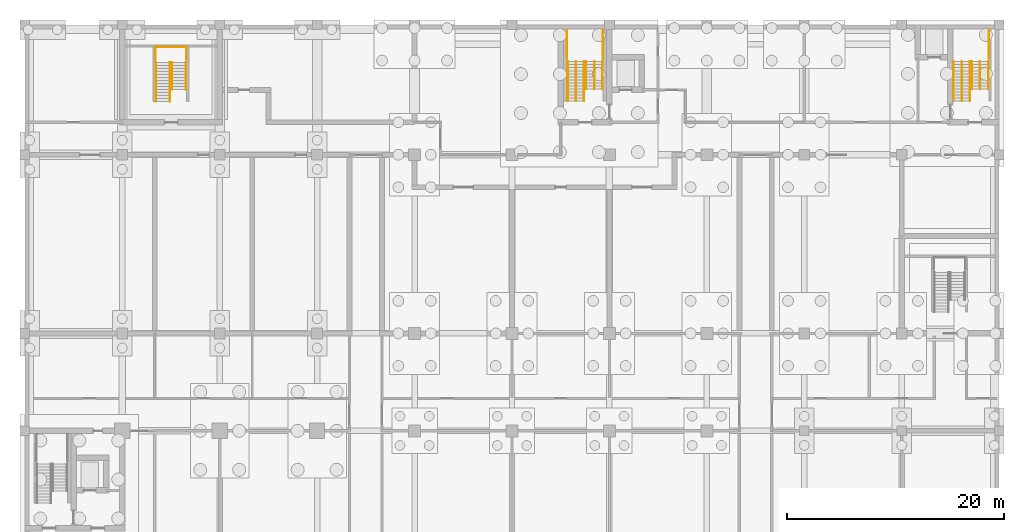
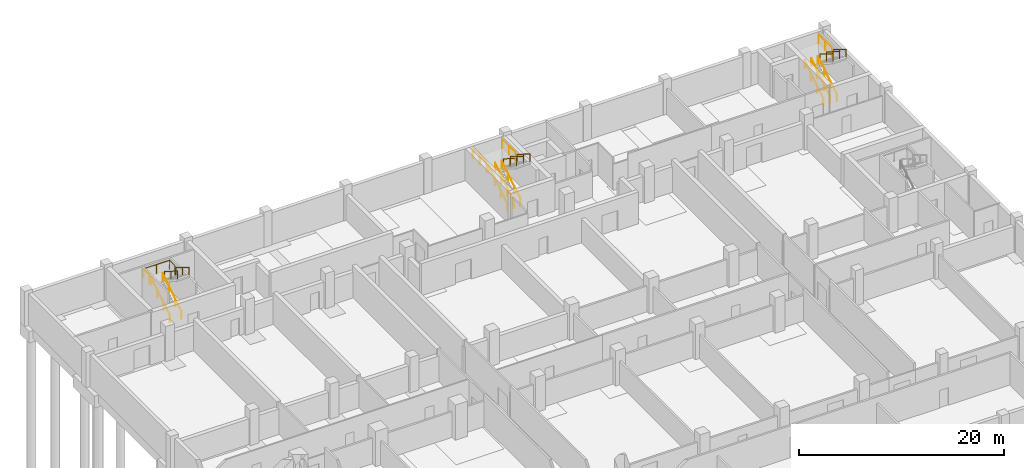
# One storey, part 14 of 15: 21 railings.
"""IFC4 building model written with IfcOpenShell, lengths in metres."""

from ifc_helpers import new_model, si_unit, direction, frame, origin, origin_2d, place, context, subcontext, project, spatial, circle, extrude, material, type_object, element, save


model = new_model("IFC4")

# Units and contexts
model_context = context("Model", 3, precision=1e-05, world=origin(), true_north=direction((0.0, 1.0)))
body_context = subcontext(model_context, "Body", "Model", "MODEL_VIEW")
ifc_project = project(units=[si_unit("LENGTHUNIT", "METRE"), si_unit("AREAUNIT", "SQUARE_METRE"), si_unit("VOLUMEUNIT", "CUBIC_METRE"), si_unit("PLANEANGLEUNIT", "RADIAN"), si_unit("MASSUNIT", "GRAM", prefix="KILO")], contexts=[model_context])

# Site, building, storey
site_placement = place(None, origin())
site = spatial("IfcSite", under=ifc_project, at=site_placement, CompositionType="ELEMENT")
building_placement = place(site_placement, origin())
building = spatial("IfcBuilding", under=site, at=building_placement, Name="Aurelan Courthouse", CompositionType="ELEMENT")
storey_placement = place(building_placement, frame((0.0, 0.0, -8.39990234375)))
storey = spatial("IfcBuildingStorey", under=building, at=storey_placement, Name="B2", CompositionType="ELEMENT", Elevation=-8.39990234375)

# Railings
ifc_material = material(Name="Steel S355", Category="steel")
railing_type_1 = type_object("IfcRailingType", Name="Stair guard 1100", PredefinedType="GUARDRAIL", material=ifc_material)
railing_1_placement = place(storey_placement, frame((12.050048828125, 62.8203125, 2.449951171875)))
element("IfcRailing", 1, at=railing_1_placement, inside=storey, type_object=railing_type_1, Name="Guard BS-3-B2-GL1", PredefinedType="GUARDRAIL", context=body_context, shape_type="SweptSolid", body=[
    extrude(circle(Radius=0.02392578125, at=origin_2d()), frame((0.0, 0.0, 1.076171875), z_axis=(0.0, 1.0, 0.0), x_axis=(-1.0, 0.0, 0.0)), (0.0, 0.0, 1.0), 1.124755859375),
    extrude(circle(Radius=0.02099609375, at=origin_2d()), origin(), (0.0, 0.0, 1.0), 1.052001953125),
    extrude(circle(Radius=0.02099609375, at=origin_2d()), frame((0.0, 1.124755859375, 0.0)), (0.0, 0.0, 1.0), 1.052001953125),
])
railing_2_placement = place(storey_placement, frame((12.050048828125, 63.945068359375, 2.449951171875)))
element("IfcRailing", 2, at=railing_2_placement, inside=storey, type_object=railing_type_1, Name="Guard BS-3-B2-GL2", PredefinedType="GUARDRAIL", context=body_context, shape_type="SweptSolid", body=[
    extrude(circle(Radius=0.02392578125, at=origin_2d()), frame((0.0, 0.0, 1.076171875), z_axis=(1.0, 0.0, 0.0), x_axis=(0.0, 1.0, 0.0)), (0.0, 0.0, 1.0), 2.89990234375),
    extrude(circle(Radius=0.02392578125, at=origin_2d()), frame((2.89990234375, 0.0, 1.076171875), z_axis=(0.0, -1.0, 0.0), x_axis=(1.0, 0.0, 0.0)), (0.0, 0.0, 1.0), 1.124755859375),
    extrude(circle(Radius=0.02099609375, at=origin_2d()), origin(), (0.0, 0.0, 1.0), 1.052001953125),
    extrude(circle(Radius=0.02099609375, at=origin_2d()), frame((1.449951171875, 0.0, 0.0)), (0.0, 0.0, 1.0), 1.052001953125),
    extrude(circle(Radius=0.02099609375, at=origin_2d()), frame((2.89990234375, 0.0, 0.0)), (0.0, 0.0, 1.0), 1.052001953125),
    extrude(circle(Radius=0.02099609375, at=origin_2d()), frame((2.89990234375, -1.124755859375, 0.0)), (0.0, 0.0, 1.0), 1.052001953125),
])
railing_3_placement = place(storey_placement, frame((50.10009765625, 62.875244140625, 2.449951171875)))
element("IfcRailing", 3, at=railing_3_placement, inside=storey, type_object=railing_type_1, Name="Guard ST-2A-B2-GL1", PredefinedType="GUARDRAIL", context=body_context, shape_type="SweptSolid", body=[
    extrude(circle(Radius=0.02392578125, at=origin_2d()), frame((0.0, 0.0, 1.076171875), z_axis=(0.0, 1.0, 0.0), x_axis=(-1.0, 0.0, 0.0)), (0.0, 0.0, 1.0), 2.644775390625),
    extrude(circle(Radius=0.02099609375, at=origin_2d()), origin(), (0.0, 0.0, 1.0), 1.052001953125),
    extrude(circle(Radius=0.02099609375, at=origin_2d()), frame((0.0, 1.322265625, 0.0)), (0.0, 0.0, 1.0), 1.052001953125),
    extrude(circle(Radius=0.02099609375, at=origin_2d()), frame((0.0, 2.644775390625, 0.0)), (0.0, 0.0, 1.0), 1.052001953125),
])
for number, where, name in (
    (4, (53.39990234375, 65.52001953125, 2.449951171875), "Guard ST-2A-B2-GL2"),
    (5, (89.050048828125, 65.52001953125, 2.449951171875), "Guard ST-3B-B2-GL1"),
):
    element("IfcRailing", number, at=place(storey_placement, frame(where)), inside=storey, type_object=railing_type_1, Name=name, PredefinedType="GUARDRAIL", context=body_context, shape_type="SweptSolid", body=[
        extrude(circle(Radius=0.02392578125, at=origin_2d()), frame((0.0, 0.0, 1.076171875), z_axis=(0.0, -1.0, 0.0), x_axis=(1.0, 0.0, 0.0)), (0.0, 0.0, 1.0), 2.644775390625),
        extrude(circle(Radius=0.02099609375, at=origin_2d()), origin(), (0.0, 0.0, 1.0), 1.052001953125),
        extrude(circle(Radius=0.02099609375, at=origin_2d()), frame((0.0, -1.322265625, 0.0)), (0.0, 0.0, 1.0), 1.052001953125),
        extrude(circle(Radius=0.02099609375, at=origin_2d()), frame((0.0, -2.644775390625, 0.0)), (0.0, 0.0, 1.0), 1.052001953125),
    ])
railing_type_2 = type_object("IfcRailingType", Name="Stair handrail 900", PredefinedType="HANDRAIL", material=ifc_material)
for number, where, name in (
    (6, (12.10009765625, 58.905029296875, 0.1748046875), "Handrail BS-3-B2-H1"),
    (7, (13.39990234375, 58.905029296875, 0.1748046875), "Handrail BS-3-B2-H2"),
):
    element("IfcRailing", number, at=place(storey_placement, frame(where)), inside=storey, type_object=railing_type_2, Name=name, PredefinedType="HANDRAIL", context=body_context, shape_type="SweptSolid", body=[
        extrude(circle(Radius=0.02392578125, at=origin_2d()), frame((0.0, 0.0, 0.8759765625), z_axis=(0.0, 0.847975935976, 0.530034727169), x_axis=(-1.0, 0.0, 0.0)), (0.0, 0.0, 1.0), 4.29248046875),
        extrude(circle(Radius=0.02099609375, at=origin_2d()), origin(), (0.0, 0.0, 1.0), 0.851806640625),
        extrude(circle(Radius=0.02099609375, at=origin_2d()), frame((0.0, 1.21337890625, 0.75830078125)), (0.0, 0.0, 1.0), 0.851806640625),
        extrude(circle(Radius=0.02099609375, at=origin_2d()), frame((0.0, 2.426513671875, 1.516845703125)), (0.0, 0.0, 1.0), 0.851806640625),
        extrude(circle(Radius=0.02099609375, at=origin_2d()), frame((0.0, 3.639892578125, 2.275146484375)), (0.0, 0.0, 1.0), 0.851806640625),
    ])
for number, where, name in (
    (8, (13.60009765625, 62.544921875, 2.625), "Handrail BS-3-B2-H3"),
    (9, (14.89990234375, 62.544921875, 2.625), "Handrail BS-3-B2-H4"),
):
    element("IfcRailing", number, at=place(storey_placement, frame(where)), inside=storey, type_object=railing_type_2, Name=name, PredefinedType="HANDRAIL", context=body_context, shape_type="SweptSolid", body=[
        extrude(circle(Radius=0.02392578125, at=origin_2d()), frame((0.0, 0.0, 0.8759765625), z_axis=(0.0, -0.848007534815, 0.529984170421), x_axis=(1.0, 0.0, 0.0)), (0.0, 0.0, 1.0), 2.9716796875),
        extrude(circle(Radius=0.02099609375, at=origin_2d()), origin(), (0.0, 0.0, 1.0), 0.851806640625),
        extrude(circle(Radius=0.02099609375, at=origin_2d()), frame((0.0, -1.260009765625, 0.78759765625)), (0.0, 0.0, 1.0), 0.851806640625),
        extrude(circle(Radius=0.02099609375, at=origin_2d()), frame((0.0, -2.52001953125, 1.574951171875)), (0.0, 0.0, 1.0), 0.851806640625),
    ])
for number, where, name in (
    (10, (50.14990234375, 58.9599609375, 0.1748046875), "Handrail ST-2A-B2-H1"),
    (11, (51.64990234375, 58.9599609375, 0.1748046875), "Handrail ST-2A-B2-H2"),
    (12, (50.89990234375, 58.9599609375, 0.1748046875), "Handrail ST-2A-B2-H3"),
):
    element("IfcRailing", number, at=place(storey_placement, frame(where)), inside=storey, type_object=railing_type_2, Name=name, PredefinedType="HANDRAIL", context=body_context, shape_type="SweptSolid", body=[
        extrude(circle(Radius=0.02392578125, at=origin_2d()), frame((0.0, 0.0, 0.8759765625), z_axis=(0.0, 0.847991913602, 0.530009164511), x_axis=(-1.0, 0.0, 0.0)), (0.0, 0.0, 1.0), 4.292724609375),
        extrude(circle(Radius=0.02099609375, at=origin_2d()), origin(), (0.0, 0.0, 1.0), 0.851806640625),
        extrude(circle(Radius=0.02099609375, at=origin_2d()), frame((0.0, 1.21337890625, 0.75830078125)), (0.0, 0.0, 1.0), 0.851806640625),
        extrude(circle(Radius=0.02099609375, at=origin_2d()), frame((0.0, 2.4267578125, 1.516845703125)), (0.0, 0.0, 1.0), 0.851806640625),
        extrude(circle(Radius=0.02099609375, at=origin_2d()), frame((0.0, 3.64013671875, 2.275146484375)), (0.0, 0.0, 1.0), 0.851806640625),
    ])
for number, where, name in (
    (13, (51.85009765625, 62.60009765625, 2.625), "Handrail ST-2A-B2-H4"),
    (14, (53.35009765625, 62.60009765625, 2.625), "Handrail ST-2A-B2-H5"),
    (15, (52.60009765625, 62.60009765625, 2.625), "Handrail ST-2A-B2-H6"),
):
    element("IfcRailing", number, at=place(storey_placement, frame(where)), inside=storey, type_object=railing_type_2, Name=name, PredefinedType="HANDRAIL", context=body_context, shape_type="SweptSolid", body=[
        extrude(circle(Radius=0.02392578125, at=origin_2d()), frame((0.0, 0.0, 0.8759765625), z_axis=(0.0, -0.848007534815, 0.529984170421), x_axis=(1.0, 0.0, 0.0)), (0.0, 0.0, 1.0), 2.9716796875),
        extrude(circle(Radius=0.02099609375, at=origin_2d()), origin(), (0.0, 0.0, 1.0), 0.851806640625),
        extrude(circle(Radius=0.02099609375, at=origin_2d()), frame((0.0, -1.260009765625, 0.78759765625)), (0.0, 0.0, 1.0), 0.851806640625),
        extrude(circle(Radius=0.02099609375, at=origin_2d()), frame((0.0, -2.52001953125, 1.574951171875)), (0.0, 0.0, 1.0), 0.851806640625),
    ])
for number, where, name in (
    (16, (85.800048828125, 58.9599609375, 0.1748046875), "Handrail ST-3B-B2-H1"),
    (17, (87.300048828125, 58.9599609375, 0.1748046875), "Handrail ST-3B-B2-H2"),
    (18, (86.550048828125, 58.9599609375, 0.1748046875), "Handrail ST-3B-B2-H3"),
):
    element("IfcRailing", number, at=place(storey_placement, frame(where)), inside=storey, type_object=railing_type_2, Name=name, PredefinedType="HANDRAIL", context=body_context, shape_type="SweptSolid", body=[
        extrude(circle(Radius=0.02392578125, at=origin_2d()), frame((0.0, 0.0, 0.8759765625), z_axis=(0.0, 0.847991913602, 0.530009164511), x_axis=(-1.0, 0.0, 0.0)), (0.0, 0.0, 1.0), 4.292724609375),
        extrude(circle(Radius=0.02099609375, at=origin_2d()), origin(), (0.0, 0.0, 1.0), 0.851806640625),
        extrude(circle(Radius=0.02099609375, at=origin_2d()), frame((0.0, 1.21337890625, 0.75830078125)), (0.0, 0.0, 1.0), 0.851806640625),
        extrude(circle(Radius=0.02099609375, at=origin_2d()), frame((0.0, 2.4267578125, 1.516845703125)), (0.0, 0.0, 1.0), 0.851806640625),
        extrude(circle(Radius=0.02099609375, at=origin_2d()), frame((0.0, 3.64013671875, 2.275146484375)), (0.0, 0.0, 1.0), 0.851806640625),
    ])
for number, where, name in (
    (19, (87.5, 62.60009765625, 2.625), "Handrail ST-3B-B2-H4"),
    (20, (89.0, 62.60009765625, 2.625), "Handrail ST-3B-B2-H5"),
    (21, (88.25, 62.60009765625, 2.625), "Handrail ST-3B-B2-H6"),
):
    element("IfcRailing", number, at=place(storey_placement, frame(where)), inside=storey, type_object=railing_type_2, Name=name, PredefinedType="HANDRAIL", context=body_context, shape_type="SweptSolid", body=[
        extrude(circle(Radius=0.02392578125, at=origin_2d()), frame((0.0, 0.0, 0.8759765625), z_axis=(0.0, -0.848007534815, 0.529984170421), x_axis=(1.0, 0.0, 0.0)), (0.0, 0.0, 1.0), 2.9716796875),
        extrude(circle(Radius=0.02099609375, at=origin_2d()), origin(), (0.0, 0.0, 1.0), 0.851806640625),
        extrude(circle(Radius=0.02099609375, at=origin_2d()), frame((0.0, -1.260009765625, 0.78759765625)), (0.0, 0.0, 1.0), 0.851806640625),
        extrude(circle(Radius=0.02099609375, at=origin_2d()), frame((0.0, -2.52001953125, 1.574951171875)), (0.0, 0.0, 1.0), 0.851806640625),
    ])

save(model, "model.ifc")
